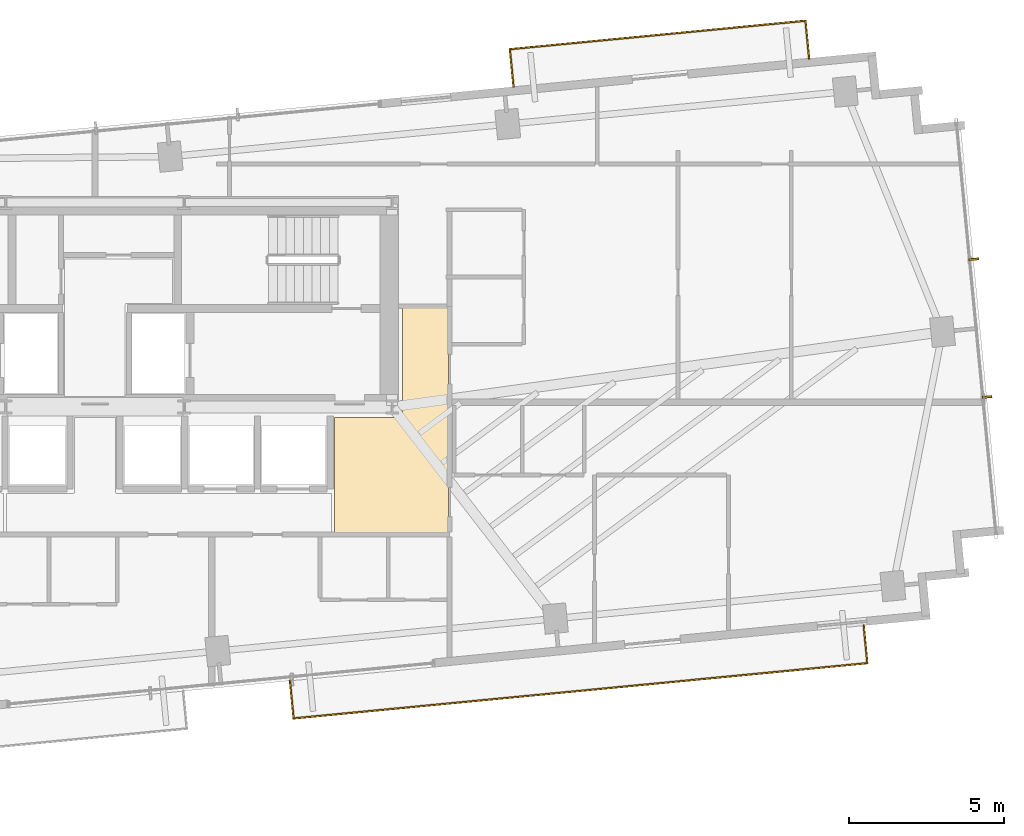
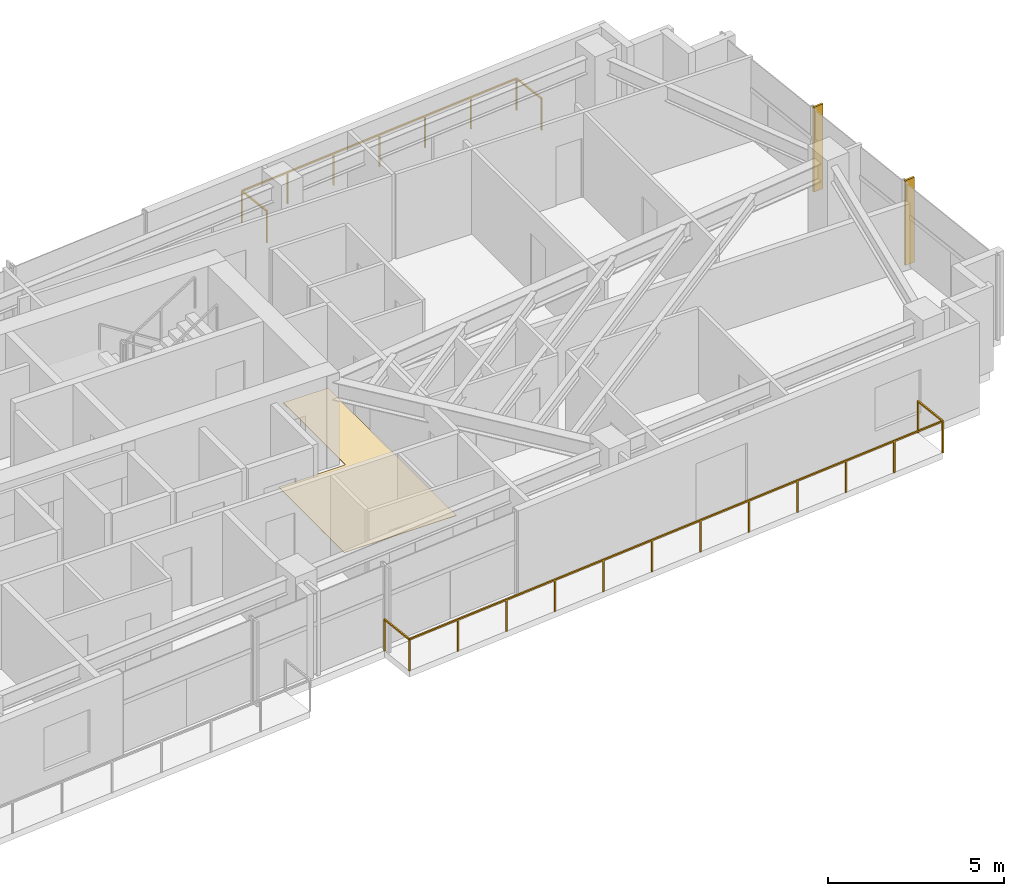
# One storey, part 18 of 18: 2 railings, 2 shading devices, 1 covering.
"""IFC4 building model written with IfcOpenShell, lengths in metres."""

from ifc_helpers import new_model, si_unit, direction, frame, origin, origin_2d, place, context, subcontext, project, spatial, polyline, rectangle, outline, extrude, source, transform, mapped, material, layer, layer_set, type_object, type_shapes, element, save


model = new_model("IFC4")

# Units and contexts
model_context = context("Model", 3, precision=1e-05, world=origin(), true_north=direction((0.0, 1.0)))
body_context = subcontext(model_context, "Body", "Model", "MODEL_VIEW")
ifc_project = project(units=[si_unit("LENGTHUNIT", "METRE"), si_unit("AREAUNIT", "SQUARE_METRE"), si_unit("VOLUMEUNIT", "CUBIC_METRE"), si_unit("PLANEANGLEUNIT", "RADIAN"), si_unit("MASSUNIT", "GRAM", prefix="KILO")], contexts=[model_context])

# Site, building, storey
site_placement = place(None, origin())
site = spatial("IfcSite", under=ifc_project, at=site_placement, CompositionType="ELEMENT")
building_placement = place(site_placement, origin())
building = spatial("IfcBuilding", under=site, at=building_placement, Name="Astriad Promenade Condominiums", CompositionType="ELEMENT")
storey_placement = place(building_placement, frame((0.0, 0.0, 185.800048828125)))
storey = spatial("IfcBuildingStorey", under=building, at=storey_placement, Name="L53", CompositionType="ELEMENT", Elevation=185.800048828125)

# Covering
ifc_material_1 = material(Name="Polished Lakefront Terrazzo Flooring")
ifc_layer = layer(ifc_material_1, 0.02001953125)
ifc_layer_set = layer_set([ifc_layer], Name="Polished Lakefront Terrazzo Flooring")
covering_type = type_object("IfcCoveringType", Name="COV-FLOR-TERRAZZO-20", PredefinedType="FLOORING", material=ifc_layer_set)
covering_placement = place(storey_placement, origin())
element("IfcCovering", 1, at=covering_placement, inside=storey, type_object=covering_type, Name="FLR-L53-COR-2", PredefinedType="FLOORING", context=body_context, shape_type="SweptSolid", body=[
    extrude(outline(polyline([(43.72998046875, 14.62353515625), (43.73095703125, 14.62451171875), (43.7333984375, 14.627685546875), (43.7353515625, 14.631103515625), (43.737060546875, 14.634765625), (43.73828125, 14.638427734375), (43.7392578125, 14.64208984375), (43.73974609375, 14.64599609375), (43.739990234375, 14.64990234375), (43.739990234375, 17.06005859375), (45.89990234375, 17.06005859375), (45.90380859375, 17.060302734375), (45.90771484375, 17.060791015625), (45.91162109375, 17.061767578125), (45.915283203125, 17.06298828125), (45.9189453125, 17.064697265625), (45.922119140625, 17.066650390625), (45.92529296875, 17.069091796875), (45.92822265625, 17.07177734375), (45.930908203125, 17.07470703125), (45.933349609375, 17.077880859375), (45.935302734375, 17.0810546875), (45.93701171875, 17.084716796875), (45.938232421875, 17.08837890625), (45.939208984375, 17.09228515625), (45.939697265625, 17.09619140625), (45.93994140625, 17.10009765625), (45.93994140625, 20.610107421875), (47.409912109375, 20.610107421875), (47.409912109375, 13.320068359375), (43.72998046875, 13.320068359375), (43.72998046875, 14.62353515625)])), origin(), (0.0, 0.0, 1.0), 0.02001953125),
])

# Shading devices
ifc_material_2 = material(Name="Anodised aluminium 6063-T6 Black Fin", Category="aluminium")
shading_device_type = type_object("IfcShadingDeviceType", Name="FIN-BLACK-260", PredefinedType="USERDEFINED", material=ifc_material_2)
shared_shape_1 = source(origin(), body_context, "Body", "SweptSolid", [
    extrude(rectangle(XDim=0.06494140625, YDim=0.320068359375, at=origin_2d()), origin(), (0.0, 0.0, 1.0), 2.93994140625),
])
type_shapes(shading_device_type, [shared_shape_1])
for number, where, z_axis, x_axis, name in (
    (2, (64.37841796875, 22.16796875, 0.0), (0.0, 0.0, 1.0), (0.09584575252, -0.995396198367, 0.0), "CW-L53-E-FIN-01"),
    (3, (64.806640625, 17.721923828125, 0.0), (0.0, 0.0, 1.0), (0.09584575252, -0.995396198367, 0.0), "CW-L53-E-FIN-02"),
):
    element("IfcShadingDevice", number, at=place(storey_placement, frame(where, z_axis=z_axis, x_axis=x_axis)), inside=storey, type_object=shading_device_type, Name=name, ObjectType="FIN", PredefinedType="USERDEFINED", context=body_context, shape_type="MappedRepresentation", body=[
        mapped(shared_shape_1, transform((0.0, 0.0, 0.0), scale=1.0)),
    ])

# Railings
ifc_material_3 = material(Name="Laminated Glass and Stainless Steel Balustrade", Category="steel")
railing_type = type_object("IfcRailingType", Name="GRD-BALC-1120", PredefinedType="BALUSTRADE", material=ifc_material_3)
shared_shape_2 = source(origin(), body_context, "Body", "SweptSolid", [
    extrude(rectangle(XDim=0.048095703125, YDim=0.048095703125, at=origin_2d()), frame((0.0, 0.0, 1.09619140625), z_axis=(0.0958382164, -0.995396923984, 0.0), x_axis=(0.995396923984, 0.0958382164, 0.0)), (0.0, 0.0, 1.0), 1.22021484375),
    extrude(rectangle(XDim=0.048095703125, YDim=0.048095703125, at=origin_2d()), frame((0.116943359375, -1.214599609375, 1.09619140625), z_axis=(0.995395945737, 0.095848376147, 0.0), x_axis=(-0.095848376147, 0.995395945737, 0.0)), (0.0, 0.0, 1.0), 18.612060546875),
    extrude(rectangle(XDim=0.048095703125, YDim=0.048095703125, at=origin_2d()), frame((18.643310546875, 0.5693359375, 1.09619140625), z_axis=(-0.096055582315, 0.995375971734, 0.0), x_axis=(-0.995375971734, -0.096055582315, 0.0)), (0.0, 0.0, 1.0), 1.219970703125),
    extrude(rectangle(XDim=0.0419921875, YDim=0.0419921875, at=origin_2d()), origin(), (0.0, 0.0, 1.0), 1.072021484375),
    extrude(rectangle(XDim=0.0419921875, YDim=0.0419921875, at=origin_2d()), frame((0.116943359375, -1.214599609375, 0.0)), (0.0, 0.0, 1.0), 1.072021484375),
    extrude(rectangle(XDim=0.0419921875, YDim=0.0419921875, at=origin_2d()), frame((1.80126953125, -1.052490234375, 0.0)), (0.0, 0.0, 1.0), 1.072021484375),
    extrude(rectangle(XDim=0.0419921875, YDim=0.0419921875, at=origin_2d()), frame((3.4853515625, -0.89013671875, 0.0)), (0.0, 0.0, 1.0), 1.072021484375),
    extrude(rectangle(XDim=0.0419921875, YDim=0.0419921875, at=origin_2d()), frame((5.169677734375, -0.72802734375, 0.0)), (0.0, 0.0, 1.0), 1.072021484375),
    extrude(rectangle(XDim=0.0419921875, YDim=0.0419921875, at=origin_2d()), frame((6.853759765625, -0.56591796875, 0.0)), (0.0, 0.0, 1.0), 1.072021484375),
    extrude(rectangle(XDim=0.0419921875, YDim=0.0419921875, at=origin_2d()), frame((8.5380859375, -0.40380859375, 0.0)), (0.0, 0.0, 1.0), 1.072021484375),
    extrude(rectangle(XDim=0.0419921875, YDim=0.0419921875, at=origin_2d()), frame((10.22216796875, -0.241455078125, 0.0)), (0.0, 0.0, 1.0), 1.072021484375),
    extrude(rectangle(XDim=0.0419921875, YDim=0.0419921875, at=origin_2d()), frame((11.906494140625, -0.079345703125, 0.0)), (0.0, 0.0, 1.0), 1.072021484375),
    extrude(rectangle(XDim=0.0419921875, YDim=0.0419921875, at=origin_2d()), frame((13.590576171875, 0.082763671875, 0.0)), (0.0, 0.0, 1.0), 1.072021484375),
    extrude(rectangle(XDim=0.0419921875, YDim=0.0419921875, at=origin_2d()), frame((15.27490234375, 0.244873046875, 0.0)), (0.0, 0.0, 1.0), 1.072021484375),
    extrude(rectangle(XDim=0.0419921875, YDim=0.0419921875, at=origin_2d()), frame((16.958984375, 0.4072265625, 0.0)), (0.0, 0.0, 1.0), 1.072021484375),
    extrude(rectangle(XDim=0.0419921875, YDim=0.0419921875, at=origin_2d()), frame((18.643310546875, 0.5693359375, 0.0)), (0.0, 0.0, 1.0), 1.072021484375),
    extrude(rectangle(XDim=0.0419921875, YDim=0.0419921875, at=origin_2d()), frame((18.526123046875, 1.78369140625, 0.0)), (0.0, 0.0, 1.0), 1.072021484375),
])
railing_1_placement = place(storey_placement, frame((42.298583984375, 8.555908203125, 0.0)))
element("IfcRailing", 4, at=railing_1_placement, inside=storey, type_object=railing_type, Name="GRD-BALC-L53-SE", PredefinedType="BALUSTRADE", context=body_context, shape_type="MappedRepresentation", body=[
    mapped(shared_shape_2, transform((0.0, 0.0, 0.0), scale=1.0)),
])
shared_shape_3 = source(origin(), body_context, "Body", "SweptSolid", [
    extrude(rectangle(XDim=0.048095703125, YDim=0.048095703125, at=origin_2d()), frame((0.0, 0.0, 1.09619140625), z_axis=(-0.095857307208, 0.99539508571, 0.0), x_axis=(-0.99539508571, -0.095857307208, 0.0)), (0.0, 0.0, 1.0), 1.219970703125),
    extrude(rectangle(XDim=0.048095703125, YDim=0.048095703125, at=origin_2d()), frame((-0.116943359375, 1.21435546875, 1.09619140625), z_axis=(-0.995395024171, -0.095857946235, 0.0), x_axis=(0.095857946235, -0.995395024171, 0.0)), (0.0, 0.0, 1.0), 9.589111328125),
    extrude(rectangle(XDim=0.048095703125, YDim=0.048095703125, at=origin_2d()), frame((-9.661865234375, 0.295166015625, 1.09619140625), z_axis=(0.095857307208, -0.99539508571, 0.0), x_axis=(0.99539508571, 0.095857307208, 0.0)), (0.0, 0.0, 1.0), 1.219970703125),
    extrude(rectangle(XDim=0.0419921875, YDim=0.0419921875, at=origin_2d()), origin(), (0.0, 0.0, 1.0), 1.072021484375),
    extrude(rectangle(XDim=0.0419921875, YDim=0.0419921875, at=origin_2d()), frame((-0.116943359375, 1.21435546875, 0.0)), (0.0, 0.0, 1.0), 1.072021484375),
    extrude(rectangle(XDim=0.0419921875, YDim=0.0419921875, at=origin_2d()), frame((-1.707763671875, 1.06103515625, 0.0)), (0.0, 0.0, 1.0), 1.072021484375),
    extrude(rectangle(XDim=0.0419921875, YDim=0.0419921875, at=origin_2d()), frame((-3.298583984375, 0.907958984375, 0.0)), (0.0, 0.0, 1.0), 1.072021484375),
    extrude(rectangle(XDim=0.0419921875, YDim=0.0419921875, at=origin_2d()), frame((-4.889404296875, 0.7548828125, 0.0)), (0.0, 0.0, 1.0), 1.072021484375),
    extrude(rectangle(XDim=0.0419921875, YDim=0.0419921875, at=origin_2d()), frame((-6.480224609375, 0.6015625, 0.0)), (0.0, 0.0, 1.0), 1.072021484375),
    extrude(rectangle(XDim=0.0419921875, YDim=0.0419921875, at=origin_2d()), frame((-8.071044921875, 0.4482421875, 0.0)), (0.0, 0.0, 1.0), 1.072021484375),
    extrude(rectangle(XDim=0.0419921875, YDim=0.0419921875, at=origin_2d()), frame((-9.661865234375, 0.295166015625, 0.0)), (0.0, 0.0, 1.0), 1.072021484375),
    extrude(rectangle(XDim=0.0419921875, YDim=0.0419921875, at=origin_2d()), frame((-9.544921875, -0.919189453125, 0.0)), (0.0, 0.0, 1.0), 1.072021484375),
])
type_shapes(railing_type, [shared_shape_2, shared_shape_3])
railing_2_placement = place(storey_placement, frame((59.061279296875, 28.655029296875, 0.0)))
element("IfcRailing", 5, at=railing_2_placement, inside=storey, type_object=railing_type, Name="GRD-BALC-L53-NE", PredefinedType="BALUSTRADE", context=body_context, shape_type="MappedRepresentation", body=[
    mapped(shared_shape_3, transform((0.0, 0.0, 0.0), scale=1.0)),
])

save(model, "model.ifc")
